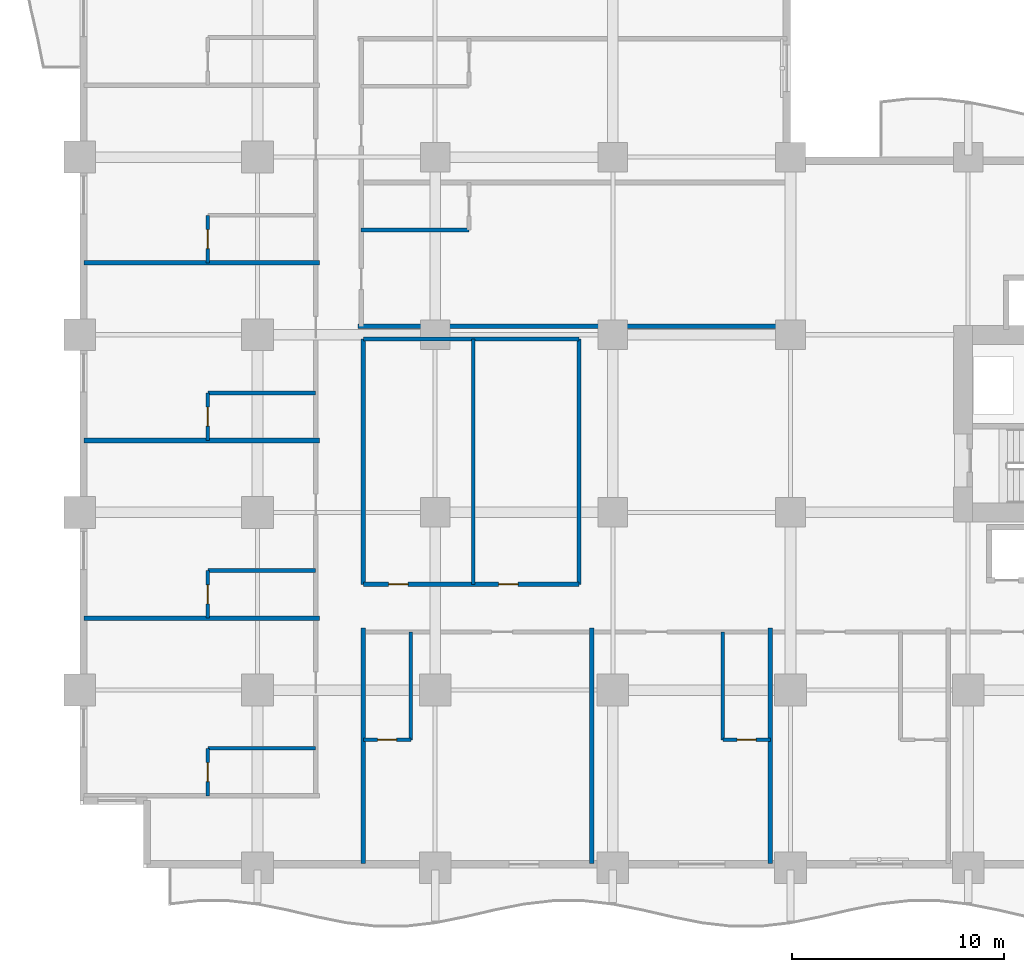
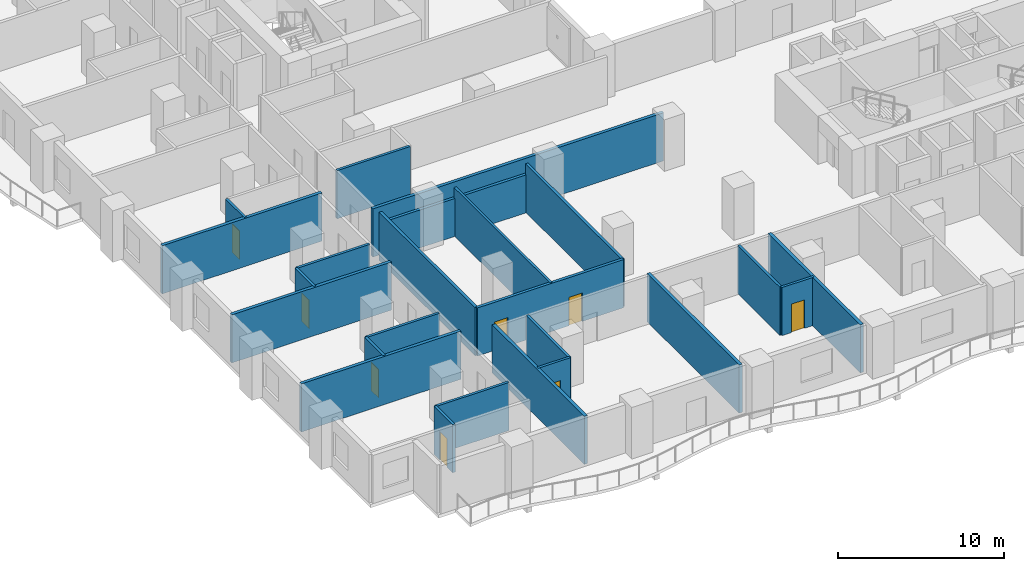
# One storey, part 4 of 20: 24 walls, 8 doors, 8 openings.
"""IFC4 building model written with IfcOpenShell, lengths in metres."""

from ifc_helpers import new_model, si_unit, direction, frame, frame_2d, origin, place, context, subcontext, project, spatial, rectangle, extrude, material, layer, layer_set, type_object, element, fill, save


model = new_model("IFC4")

# Units and contexts
model_context = context("Model", 3, precision=1e-05, world=origin(), true_north=direction((0.0, 1.0)))
body_context = subcontext(model_context, "Body", "Model", "MODEL_VIEW")
ifc_project = project(units=[si_unit("LENGTHUNIT", "METRE"), si_unit("AREAUNIT", "SQUARE_METRE"), si_unit("VOLUMEUNIT", "CUBIC_METRE"), si_unit("PLANEANGLEUNIT", "RADIAN"), si_unit("MASSUNIT", "GRAM", prefix="KILO")], contexts=[model_context])

# Site, building, storey
site_placement = place(None, origin())
site = spatial("IfcSite", under=ifc_project, at=site_placement, CompositionType="ELEMENT")
building_placement = place(site_placement, origin())
building = spatial("IfcBuilding", under=site, at=building_placement, Name="Koriwani Terraces Tower", CompositionType="ELEMENT")
storey_placement = place(building_placement, frame((0.0, 0.0, 35.800048828125)))
storey = spatial("IfcBuildingStorey", under=building, at=storey_placement, Name="L07", CompositionType="ELEMENT", Elevation=35.800048828125)

# Wall, openings, doors
ifc_material_1 = material(Name="Autoclaved Cellular Concrete Blockwork", Category="masonry")
ifc_layer_1 = layer(ifc_material_1, 0.199951171875, Name="Autoclaved Cellular Concrete Blockwork")
ifc_layer_set_1 = layer_set([ifc_layer_1], Name="Autoclaved Cellular Concrete Blockwork")
wall_type_1 = type_object("IfcWallType", Name="WALL_CORRIDOR_200", PredefinedType="PARTITIONING", material=ifc_layer_set_1)
wall_1_placement = place(storey_placement, frame((13.39990234375, 13.39990234375, 0.0), z_axis=(0.0, 0.0, 1.0), x_axis=(1.0, 0.0, 0.0)))
wall_1 = element("IfcWall", 1, at=wall_1_placement, inside=storey, type_object=wall_type_1, Name="L07 Interior Wall WHK-L07-S", PredefinedType="PARTITIONING", context=body_context, shape_type="SweptSolid", body=[
    extrude(rectangle(XDim=10.2001953125, YDim=0.199951171875, at=frame_2d((5.10009765625, 0.0))), origin(), (0.0, 0.0, 1.0), 3.550048828125),
])
opening_1_placement = place(wall_1_placement, frame((1.199951171875, 0.0, 0.0)))
opening_1 = element("IfcOpeningElement", 2, at=opening_1_placement, cuts=wall_1, Name="Opening D-06", PredefinedType="OPENING", context=body_context, shape_type="SweptSolid", body=[
    extrude(rectangle(XDim=0.919921875, YDim=2.10009765625, at=frame_2d((0.4599609375, 1.050048828125))), frame((0.0, 0.10986328125, 0.0), z_axis=(0.0, -1.0, 0.0), x_axis=(1.0, 0.0, 0.0)), (0.0, 0.0, 1.0), 0.219970703125),
])
opening_2_placement = place(wall_1_placement, frame((6.39990234375, 0.0, 0.0)))
opening_2 = element("IfcOpeningElement", 3, at=opening_2_placement, cuts=wall_1, Name="Opening D-06", PredefinedType="OPENING", context=body_context, shape_type="SweptSolid", body=[
    extrude(rectangle(XDim=0.919921875, YDim=2.10009765625, at=frame_2d((0.4599609375, 1.050048828125))), frame((0.0, 0.10986328125, 0.0), z_axis=(0.0, -1.0, 0.0), x_axis=(1.0, 0.0, 0.0)), (0.0, 0.0, 1.0), 0.219970703125),
])
ifc_material_2 = material(Name="Architectural Oak Fire Door", Category="wood")
door_type_1 = type_object("IfcDoorType", Name="DOOR_ROOM_INT_920X2100", OperationType="NOTDEFINED", PredefinedType="DOOR", material=ifc_material_2)
door_1_placement = place(opening_1_placement, origin())
door_1 = element("IfcDoor", 4, at=door_1_placement, inside=storey, type_object=door_type_1, Name="L07 Housekeeping and Linen Room Door", OperationType="SINGLE_SWING_LEFT", OverallHeight=2.10009765625, OverallWidth=0.919921875, PredefinedType="DOOR", context=body_context, shape_type="SweptSolid", body=[
    extrude(rectangle(XDim=0.919921875, YDim=2.10009765625, at=frame_2d((0.4599609375, 1.050048828125))), frame((0.0, 0.02490234375, 0.0), z_axis=(0.0, -1.0, 0.0), x_axis=(1.0, 0.0, 0.0)), (0.0, 0.0, 1.0), 0.050048828125),
])
fill(opening_1, door_1)
door_2_placement = place(opening_2_placement, origin())
door_2 = element("IfcDoor", 5, at=door_2_placement, inside=storey, type_object=door_type_1, Name="L07 Guest Study Lounge Door", OperationType="SINGLE_SWING_RIGHT", OverallHeight=2.10009765625, OverallWidth=0.919921875, PredefinedType="DOOR", context=body_context, shape_type="SweptSolid", body=[
    extrude(rectangle(XDim=0.919921875, YDim=2.10009765625, at=frame_2d((0.4599609375, 1.050048828125))), frame((0.0, 0.02490234375, 0.0), z_axis=(0.0, -1.0, 0.0), x_axis=(1.0, 0.0, 0.0)), (0.0, 0.0, 1.0), 0.050048828125),
])
fill(opening_2, door_2)

# Walls
wall_2_placement = place(storey_placement, frame((13.39990234375, 25.0, 0.0), z_axis=(0.0, 0.0, 1.0), x_axis=(1.0, 0.0, 0.0)))
element("IfcWall", 6, at=wall_2_placement, inside=storey, type_object=wall_type_1, Name="L07 Interior Wall WHK-L07-N", PredefinedType="PARTITIONING", context=body_context, shape_type="SweptSolid", body=[
    extrude(rectangle(XDim=10.2001953125, YDim=0.199951171875, at=frame_2d((5.10009765625, 0.0))), origin(), (0.0, 0.0, 1.0), 2.800048828125),
])
for number, where, z_axis, x_axis, name in (
    (7, (13.39990234375, 13.39990234375, 0.0), (0.0, 0.0, 1.0), (0.0, 1.0, 0.0), "L07 Interior Wall WHK-L07-W"),
    (8, (23.60009765625, 13.39990234375, 0.0), (0.0, 0.0, 1.0), (0.0, 1.0, 0.0), "L07 Interior Wall WHK-L07-E"),
):
    element("IfcWall", number, at=place(storey_placement, frame(where, z_axis=z_axis, x_axis=x_axis)), inside=storey, type_object=wall_type_1, Name=name, PredefinedType="PARTITIONING", context=body_context, shape_type="SweptSolid", body=[
        extrude(rectangle(XDim=11.60009765625, YDim=0.199951171875, at=frame_2d((5.800048828125, 0.0))), origin(), (0.0, 0.0, 1.0), 3.550048828125),
    ])
ifc_layer_2 = layer(ifc_material_1, 0.219970703125, Name="Autoclaved Cellular Concrete Blockwork")
ifc_layer_set_2 = layer_set([ifc_layer_2], Name="Autoclaved Cellular Concrete Blockwork")
wall_type_2 = type_object("IfcWallType", Name="WALL_DEMISING_220", PredefinedType="PARTITIONING", material=ifc_layer_set_2)
wall_3_placement = place(storey_placement, frame((13.14990234375, 25.60009765625, 0.0), z_axis=(0.0, 0.0, 1.0), x_axis=(1.0, 0.0, 0.0)))
element("IfcWall", 9, at=wall_3_placement, inside=storey, type_object=wall_type_2, Name="L07 Interior Wall WDEM-L07-NWI-0", PredefinedType="PARTITIONING", context=body_context, shape_type="SweptSolid", body=[
    extrude(rectangle(XDim=20.280029296875, YDim=0.219970703125, at=frame_2d((10.14013671875, 0.0))), origin(), (0.0, 0.0, 1.0), 3.550048828125),
])
for number, where, z_axis, x_axis, name in (
    (10, (0.199951171875, 11.800048828125, 0.0), (0.0, 0.0, 1.0), (1.0, 0.0, 0.0), "L07 Interior Wall WDEM-L07-NW-1"),
    (11, (0.199951171875, 20.199951171875, 0.0), (0.0, 0.0, 1.0), (1.0, 0.0, 0.0), "L07 Interior Wall WDEM-L07-NW-2"),
    (12, (0.199951171875, 28.60009765625, 0.0), (0.0, 0.0, 1.0), (1.0, 0.0, 0.0), "L07 Interior Wall WDEM-L07-NW-3"),
    (13, (13.39990234375, 0.199951171875, 0.0), (0.0, 0.0, 1.0), (0.0, 1.0, 0.0), "L07 Interior Wall WDEM-L07-SW-0"),
    (14, (24.199951171875, 0.199951171875, 0.0), (0.0, 0.0, 1.0), (0.0, 1.0, 0.0), "L07 Interior Wall WDEM-L07-SW-1"),
    (15, (32.64990234375, 0.199951171875, 0.0), (0.0, 0.0, 1.0), (0.0, 1.0, 0.0), "L07 Interior Wall WDEM-L07-SW-2"),
):
    element("IfcWall", number, at=place(storey_placement, frame(where, z_axis=z_axis, x_axis=x_axis)), inside=storey, type_object=wall_type_2, Name=name, PredefinedType="PARTITIONING", context=body_context, shape_type="SweptSolid", body=[
        extrude(rectangle(XDim=11.130126953125, YDim=0.219970703125, at=frame_2d((5.56494140625, 0.0))), origin(), (0.0, 0.0, 1.0), 3.550048828125),
    ])
ifc_material_3 = material(Name="Fire-Rated Acoustic Gypsum Partition", Category="masonry")
ifc_layer_3 = layer(ifc_material_3, 0.179931640625, Name="Fire-Rated Acoustic Gypsum Partition")
ifc_layer_set_3 = layer_set([ifc_layer_3], Name="Fire-Rated Acoustic Gypsum Partition")
wall_type_3 = type_object("IfcWallType", Name="WALL_PLUMBING_180", PredefinedType="PLUMBINGWALL", material=ifc_layer_set_3)
wall_4_placement = place(storey_placement, frame((13.300048828125, 30.14990234375, 0.0), z_axis=(0.0, 0.0, 1.0), x_axis=(1.0, 0.0, 0.0)))
element("IfcWall", 16, at=wall_4_placement, inside=storey, type_object=wall_type_3, Name="L07 Interior Wall WBTH2-L07-NWI-0", PredefinedType="PLUMBINGWALL", context=body_context, shape_type="SweptSolid", body=[
    extrude(rectangle(XDim=5.099853515625, YDim=0.179931640625, at=frame_2d((2.5498046875, 0.0))), origin(), (0.0, 0.0, 1.0), 3.550048828125),
])

# Wall, opening, door
wall_5_placement = place(storey_placement, frame((6.050048828125, 3.39990234375, 0.0), z_axis=(0.0, 0.0, 1.0), x_axis=(0.0, 1.0, 0.0)))
wall_5 = element("IfcWall", 17, at=wall_5_placement, inside=storey, type_object=wall_type_3, Name="L07 Interior Wall WBTH1-L07-NW-0", PredefinedType="PLUMBINGWALL", context=body_context, shape_type="SweptSolid", body=[
    extrude(rectangle(XDim=2.25, YDim=0.179931640625, at=frame_2d((1.125, 0.0))), origin(), (0.0, 0.0, 1.0), 3.550048828125),
])
opening_3_placement = place(wall_5_placement, frame((0.675048828125, 0.0, 0.0)))
opening_3 = element("IfcOpeningElement", 18, at=opening_3_placement, cuts=wall_5, Name="Opening D-07", PredefinedType="OPENING", context=body_context, shape_type="SweptSolid", body=[
    extrude(rectangle(XDim=0.89990234375, YDim=2.10009765625, at=frame_2d((0.449951171875, 1.050048828125))), frame((0.0, 0.10009765625, 0.0), z_axis=(0.0, -1.0, 0.0), x_axis=(1.0, 0.0, 0.0)), (0.0, 0.0, 1.0), 0.199951171875),
])
door_type_2 = type_object("IfcDoorType", Name="DOOR_BATH_INT_900X2100", OperationType="NOTDEFINED", PredefinedType="DOOR", material=ifc_material_2)
door_3_placement = place(opening_3_placement, origin())
door_3 = element("IfcDoor", 19, at=door_3_placement, inside=storey, type_object=door_type_2, Name="En-Suite Bathroom 07NW1 Door", OperationType="SINGLE_SWING_RIGHT", OverallHeight=2.10009765625, OverallWidth=0.89990234375, PredefinedType="DOOR", context=body_context, shape_type="SweptSolid", body=[
    extrude(rectangle(XDim=0.89990234375, YDim=2.10009765625, at=frame_2d((0.449951171875, 1.050048828125))), frame((0.0, 0.02490234375, 0.0), z_axis=(0.0, -1.0, 0.0), x_axis=(1.0, 0.0, 0.0)), (0.0, 0.0, 1.0), 0.050048828125),
])
fill(opening_3, door_3)

# Wall
wall_6_placement = place(storey_placement, frame((6.050048828125, 5.64990234375, 0.0), z_axis=(0.0, 0.0, 1.0), x_axis=(1.0, 0.0, 0.0)))
element("IfcWall", 20, at=wall_6_placement, inside=storey, type_object=wall_type_3, Name="L07 Interior Wall WBTH2-L07-NW-0", PredefinedType="PLUMBINGWALL", context=body_context, shape_type="SweptSolid", body=[
    extrude(rectangle(XDim=5.099853515625, YDim=0.179931640625, at=frame_2d((2.5498046875, 0.0))), origin(), (0.0, 0.0, 1.0), 3.550048828125),
])

# Wall, opening, door
wall_7_placement = place(storey_placement, frame((6.050048828125, 11.800048828125, 0.0), z_axis=(0.0, 0.0, 1.0), x_axis=(0.0, 1.0, 0.0)))
wall_7 = element("IfcWall", 21, at=wall_7_placement, inside=storey, type_object=wall_type_3, Name="L07 Interior Wall WBTH1-L07-NW-1", PredefinedType="PLUMBINGWALL", context=body_context, shape_type="SweptSolid", body=[
    extrude(rectangle(XDim=2.25, YDim=0.179931640625, at=frame_2d((1.125, 0.0))), origin(), (0.0, 0.0, 1.0), 3.550048828125),
])
opening_4_placement = place(wall_7_placement, frame((0.675048828125, 0.0, 0.0)))
opening_4 = element("IfcOpeningElement", 22, at=opening_4_placement, cuts=wall_7, Name="Opening D-07", PredefinedType="OPENING", context=body_context, shape_type="SweptSolid", body=[
    extrude(rectangle(XDim=0.89990234375, YDim=2.10009765625, at=frame_2d((0.449951171875, 1.050048828125))), frame((0.0, 0.10009765625, 0.0), z_axis=(0.0, -1.0, 0.0), x_axis=(1.0, 0.0, 0.0)), (0.0, 0.0, 1.0), 0.199951171875),
])
door_4_placement = place(opening_4_placement, origin())
door_4 = element("IfcDoor", 23, at=door_4_placement, inside=storey, type_object=door_type_2, Name="En-Suite Bathroom 07NW2 Door", OperationType="SINGLE_SWING_RIGHT", OverallHeight=2.10009765625, OverallWidth=0.89990234375, PredefinedType="DOOR", context=body_context, shape_type="SweptSolid", body=[
    extrude(rectangle(XDim=0.89990234375, YDim=2.10009765625, at=frame_2d((0.449951171875, 1.050048828125))), frame((0.0, 0.02490234375, 0.0), z_axis=(0.0, -1.0, 0.0), x_axis=(1.0, 0.0, 0.0)), (0.0, 0.0, 1.0), 0.050048828125),
])
fill(opening_4, door_4)

# Wall
wall_8_placement = place(storey_placement, frame((6.050048828125, 14.050048828125, 0.0), z_axis=(0.0, 0.0, 1.0), x_axis=(1.0, 0.0, 0.0)))
element("IfcWall", 24, at=wall_8_placement, inside=storey, type_object=wall_type_3, Name="L07 Interior Wall WBTH2-L07-NW-1", PredefinedType="PLUMBINGWALL", context=body_context, shape_type="SweptSolid", body=[
    extrude(rectangle(XDim=5.099853515625, YDim=0.179931640625, at=frame_2d((2.5498046875, 0.0))), origin(), (0.0, 0.0, 1.0), 3.550048828125),
])

# Wall, opening, door
wall_9_placement = place(storey_placement, frame((6.050048828125, 20.199951171875, 0.0), z_axis=(0.0, 0.0, 1.0), x_axis=(0.0, 1.0, 0.0)))
wall_9 = element("IfcWall", 25, at=wall_9_placement, inside=storey, type_object=wall_type_3, Name="L07 Interior Wall WBTH1-L07-NW-2", PredefinedType="PLUMBINGWALL", context=body_context, shape_type="SweptSolid", body=[
    extrude(rectangle(XDim=2.25, YDim=0.179931640625, at=frame_2d((1.125, 0.0))), origin(), (0.0, 0.0, 1.0), 3.550048828125),
])
opening_5_placement = place(wall_9_placement, frame((0.675048828125, 0.0, 0.0)))
opening_5 = element("IfcOpeningElement", 26, at=opening_5_placement, cuts=wall_9, Name="Opening D-07", PredefinedType="OPENING", context=body_context, shape_type="SweptSolid", body=[
    extrude(rectangle(XDim=0.89990234375, YDim=2.10009765625, at=frame_2d((0.449951171875, 1.050048828125))), frame((0.0, 0.10009765625, 0.0), z_axis=(0.0, -1.0, 0.0), x_axis=(1.0, 0.0, 0.0)), (0.0, 0.0, 1.0), 0.199951171875),
])
door_5_placement = place(opening_5_placement, origin())
door_5 = element("IfcDoor", 27, at=door_5_placement, inside=storey, type_object=door_type_2, Name="En-Suite Bathroom 07NW3 Door", OperationType="SINGLE_SWING_RIGHT", OverallHeight=2.10009765625, OverallWidth=0.89990234375, PredefinedType="DOOR", context=body_context, shape_type="SweptSolid", body=[
    extrude(rectangle(XDim=0.89990234375, YDim=2.10009765625, at=frame_2d((0.449951171875, 1.050048828125))), frame((0.0, 0.02490234375, 0.0), z_axis=(0.0, -1.0, 0.0), x_axis=(1.0, 0.0, 0.0)), (0.0, 0.0, 1.0), 0.050048828125),
])
fill(opening_5, door_5)

# Wall
wall_10_placement = place(storey_placement, frame((6.050048828125, 22.449951171875, 0.0), z_axis=(0.0, 0.0, 1.0), x_axis=(1.0, 0.0, 0.0)))
element("IfcWall", 28, at=wall_10_placement, inside=storey, type_object=wall_type_3, Name="L07 Interior Wall WBTH2-L07-NW-2", PredefinedType="PLUMBINGWALL", context=body_context, shape_type="SweptSolid", body=[
    extrude(rectangle(XDim=5.099853515625, YDim=0.179931640625, at=frame_2d((2.5498046875, 0.0))), origin(), (0.0, 0.0, 1.0), 3.550048828125),
])

# Wall, opening, door
wall_11_placement = place(storey_placement, frame((6.050048828125, 28.60009765625, 0.0), z_axis=(0.0, 0.0, 1.0), x_axis=(0.0, 1.0, 0.0)))
wall_11 = element("IfcWall", 29, at=wall_11_placement, inside=storey, type_object=wall_type_3, Name="L07 Interior Wall WBTH1-L07-NW-3", PredefinedType="PLUMBINGWALL", context=body_context, shape_type="SweptSolid", body=[
    extrude(rectangle(XDim=2.25, YDim=0.179931640625, at=frame_2d((1.125, 0.0))), origin(), (0.0, 0.0, 1.0), 3.550048828125),
])
opening_6_placement = place(wall_11_placement, frame((0.675048828125, 0.0, 0.0)))
opening_6 = element("IfcOpeningElement", 30, at=opening_6_placement, cuts=wall_11, Name="Opening D-07", PredefinedType="OPENING", context=body_context, shape_type="SweptSolid", body=[
    extrude(rectangle(XDim=0.89990234375, YDim=2.10009765625, at=frame_2d((0.449951171875, 1.050048828125))), frame((0.0, 0.10009765625, 0.0), z_axis=(0.0, -1.0, 0.0), x_axis=(1.0, 0.0, 0.0)), (0.0, 0.0, 1.0), 0.199951171875),
])
door_6_placement = place(opening_6_placement, origin())
door_6 = element("IfcDoor", 31, at=door_6_placement, inside=storey, type_object=door_type_2, Name="En-Suite Bathroom 07NW4 Door", OperationType="SINGLE_SWING_RIGHT", OverallHeight=2.10009765625, OverallWidth=0.89990234375, PredefinedType="DOOR", context=body_context, shape_type="SweptSolid", body=[
    extrude(rectangle(XDim=0.89990234375, YDim=2.10009765625, at=frame_2d((0.449951171875, 1.050048828125))), frame((0.0, 0.02490234375, 0.0), z_axis=(0.0, -1.0, 0.0), x_axis=(1.0, 0.0, 0.0)), (0.0, 0.0, 1.0), 0.050048828125),
])
fill(opening_6, door_6)

wall_12_placement = place(storey_placement, frame((13.39990234375, 6.050048828125, 0.0), z_axis=(0.0, 0.0, 1.0), x_axis=(1.0, 0.0, 0.0)))
wall_12 = element("IfcWall", 32, at=wall_12_placement, inside=storey, type_object=wall_type_3, Name="L07 Interior Wall WBTH1-L07-SW-0", PredefinedType="PLUMBINGWALL", context=body_context, shape_type="SweptSolid", body=[
    extrude(rectangle(XDim=2.25, YDim=0.179931640625, at=frame_2d((1.125, 0.0))), origin(), (0.0, 0.0, 1.0), 3.550048828125),
])
opening_7_placement = place(wall_12_placement, frame((0.675048828125, 0.0, 0.0)))
opening_7 = element("IfcOpeningElement", 33, at=opening_7_placement, cuts=wall_12, Name="Opening D-07", PredefinedType="OPENING", context=body_context, shape_type="SweptSolid", body=[
    extrude(rectangle(XDim=0.89990234375, YDim=2.10009765625, at=frame_2d((0.449951171875, 1.050048828125))), frame((0.0, 0.10009765625, 0.0), z_axis=(0.0, -1.0, 0.0), x_axis=(1.0, 0.0, 0.0)), (0.0, 0.0, 1.0), 0.199951171875),
])
door_7_placement = place(opening_7_placement, origin())
door_7 = element("IfcDoor", 34, at=door_7_placement, inside=storey, type_object=door_type_2, Name="En-Suite Bathroom 07SW1 Door", OperationType="SINGLE_SWING_RIGHT", OverallHeight=2.10009765625, OverallWidth=0.89990234375, PredefinedType="DOOR", context=body_context, shape_type="SweptSolid", body=[
    extrude(rectangle(XDim=0.89990234375, YDim=2.10009765625, at=frame_2d((0.449951171875, 1.050048828125))), frame((0.0, 0.02490234375, 0.0), z_axis=(0.0, -1.0, 0.0), x_axis=(1.0, 0.0, 0.0)), (0.0, 0.0, 1.0), 0.050048828125),
])
fill(opening_7, door_7)

# Wall
wall_13_placement = place(storey_placement, frame((15.64990234375, 6.050048828125, 0.0), z_axis=(0.0, 0.0, 1.0), x_axis=(0.0, 1.0, 0.0)))
element("IfcWall", 35, at=wall_13_placement, inside=storey, type_object=wall_type_3, Name="L07 Interior Wall WBTH2-L07-SW-0", PredefinedType="PLUMBINGWALL", context=body_context, shape_type="SweptSolid", body=[
    extrude(rectangle(XDim=5.099853515625, YDim=0.179931640625, at=frame_2d((2.5498046875, 0.0))), origin(), (0.0, 0.0, 1.0), 3.550048828125),
])

# Wall, opening, door
wall_14_placement = place(storey_placement, frame((30.39990234375, 6.050048828125, 0.0), z_axis=(0.0, 0.0, 1.0), x_axis=(1.0, 0.0, 0.0)))
wall_14 = element("IfcWall", 36, at=wall_14_placement, inside=storey, type_object=wall_type_3, Name="L07 Interior Wall WBTH1-L07-SW-1", PredefinedType="PLUMBINGWALL", context=body_context, shape_type="SweptSolid", body=[
    extrude(rectangle(XDim=2.25, YDim=0.179931640625, at=frame_2d((1.125, 0.0))), origin(), (0.0, 0.0, 1.0), 3.550048828125),
])
opening_8_placement = place(wall_14_placement, frame((0.675048828125, 0.0, 0.0)))
opening_8 = element("IfcOpeningElement", 37, at=opening_8_placement, cuts=wall_14, Name="Opening D-07", PredefinedType="OPENING", context=body_context, shape_type="SweptSolid", body=[
    extrude(rectangle(XDim=0.89990234375, YDim=2.10009765625, at=frame_2d((0.449951171875, 1.050048828125))), frame((0.0, 0.10009765625, 0.0), z_axis=(0.0, -1.0, 0.0), x_axis=(1.0, 0.0, 0.0)), (0.0, 0.0, 1.0), 0.199951171875),
])
door_8_placement = place(opening_8_placement, origin())
door_8 = element("IfcDoor", 38, at=door_8_placement, inside=storey, type_object=door_type_2, Name="En-Suite Bathroom 07SW2 Door", OperationType="SINGLE_SWING_RIGHT", OverallHeight=2.10009765625, OverallWidth=0.89990234375, PredefinedType="DOOR", context=body_context, shape_type="SweptSolid", body=[
    extrude(rectangle(XDim=0.89990234375, YDim=2.10009765625, at=frame_2d((0.449951171875, 1.050048828125))), frame((0.0, 0.02490234375, 0.0), z_axis=(0.0, -1.0, 0.0), x_axis=(1.0, 0.0, 0.0)), (0.0, 0.0, 1.0), 0.050048828125),
])
fill(opening_8, door_8)

# Walls
wall_15_placement = place(storey_placement, frame((30.39990234375, 6.050048828125, 0.0), z_axis=(0.0, 0.0, 1.0), x_axis=(0.0, 1.0, 0.0)))
element("IfcWall", 39, at=wall_15_placement, inside=storey, type_object=wall_type_3, Name="L07 Interior Wall WBTH2-L07-SW-1", PredefinedType="PLUMBINGWALL", context=body_context, shape_type="SweptSolid", body=[
    extrude(rectangle(XDim=5.099853515625, YDim=0.179931640625, at=frame_2d((2.5498046875, 0.0))), origin(), (0.0, 0.0, 1.0), 3.550048828125),
])
ifc_layer_4 = layer(ifc_material_3, 0.159912109375, Name="Fire-Rated Acoustic Gypsum Partition")
ifc_layer_set_4 = layer_set([ifc_layer_4], Name="Fire-Rated Acoustic Gypsum Partition")
wall_type_4 = type_object("IfcWallType", Name="WALL_SUITE_160", PredefinedType="PARTITIONING", material=ifc_layer_set_4)
wall_16_placement = place(storey_placement, frame((18.60009765625, 13.39990234375, 0.0), z_axis=(0.0, 0.0, 1.0), x_axis=(0.0, 1.0, 0.0)))
element("IfcWall", 40, at=wall_16_placement, inside=storey, type_object=wall_type_4, Name="L07 Interior Wall WHK-L07-M", PredefinedType="PARTITIONING", context=body_context, shape_type="SweptSolid", body=[
    extrude(rectangle(XDim=11.60009765625, YDim=0.159912109375, at=frame_2d((5.800048828125, 0.0))), origin(), (0.0, 0.0, 1.0), 3.550048828125),
])

save(model, "model.ifc")
